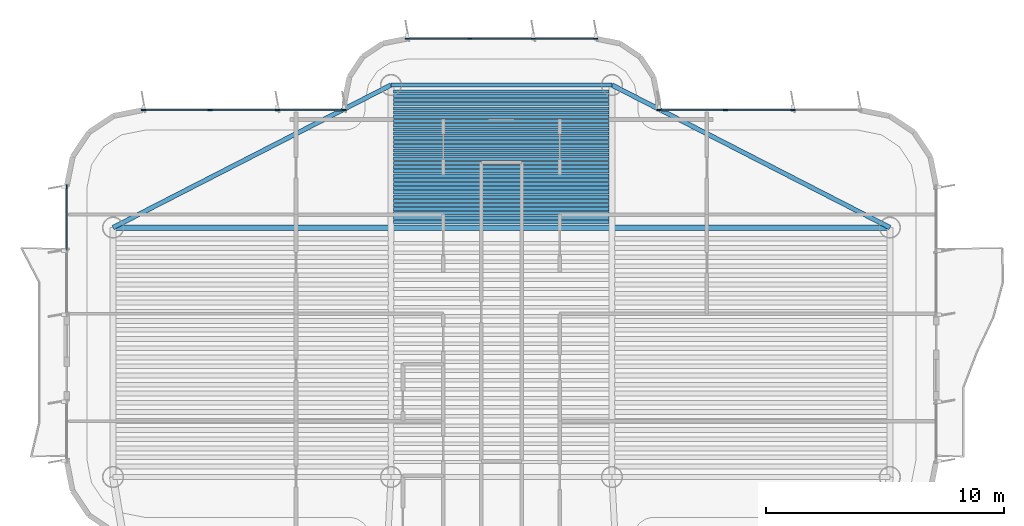
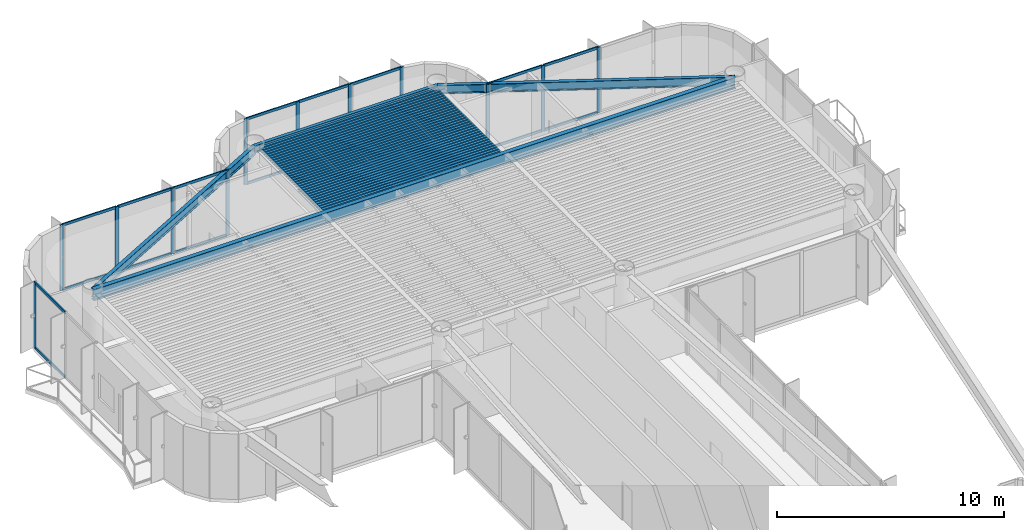
# One storey, part 7 of 15: 36 beams, 30 members, 4 elements without a shape of their own.
"""IFC4 building model written with IfcOpenShell, lengths in metres."""

from ifc_helpers import new_model, si_unit, direction, frame, origin, origin_2d, place, context, subcontext, project, spatial, rectangle, i_section, extrude, source, transform, mapped, material, layer, layer_set, material_profile, profile_set, type_object, element, aggregate, save


model = new_model("IFC4")

# Units and contexts
model_context = context("Model", 3, precision=1e-05, world=origin(), true_north=direction((0.0, 1.0)))
body_context = subcontext(model_context, "Body", "Model", "MODEL_VIEW")
ifc_project = project(units=[si_unit("LENGTHUNIT", "METRE"), si_unit("AREAUNIT", "SQUARE_METRE"), si_unit("VOLUMEUNIT", "CUBIC_METRE"), si_unit("PLANEANGLEUNIT", "RADIAN"), si_unit("MASSUNIT", "GRAM", prefix="KILO")], contexts=[model_context])

# Site, building, storey
site_placement = place(None, origin())
site = spatial("IfcSite", under=ifc_project, at=site_placement, CompositionType="ELEMENT")
building_placement = place(site_placement, origin())
building = spatial("IfcBuilding", under=site, at=building_placement, Name="Brelvock Crest Care Tower", CompositionType="ELEMENT")
storey_placement = place(building_placement, frame((0.0, 0.0, 268.3798828125)))
storey = spatial("IfcBuildingStorey", under=building, at=storey_placement, Name="L68", CompositionType="ELEMENT", Elevation=268.3798828125)

# Beams
ifc_material_1 = material(Name="Steel Grade 350", Category="steel")
ifc_material_profile_1 = material_profile(ifc_material_1, i_section(OverallWidth=0.177978515625, OverallDepth=0.406005859375, WebThickness=0.0078125, FlangeThickness=0.0126953125, FilletRadius=0.011474609375, at=origin_2d()), Name="410UB59.7")
ifc_profile_set_1 = profile_set([ifc_material_profile_1], Name="Steel Grade 350")
beam_type_1 = type_object("IfcBeamType", Name="BM-SP1", PredefinedType="SPANDREL", material=ifc_profile_set_1)
shared_shape_1 = source(origin(), body_context, "Body", "SweptSolid", [
    extrude(i_section(OverallWidth=0.177978515625, OverallDepth=0.406005859375, WebThickness=0.0078125, FlangeThickness=0.0126953125, FilletRadius=0.011474609375, at=origin_2d()), origin(), (0.0, 0.0, 1.0), 9.2998046875),
])
beam_1_placement = place(storey_placement, frame((31.35009765625, 60.449951171875, 3.3271484375), z_axis=(1.0, 0.0, 0.0), x_axis=(0.0, 1.0, 0.0)))
element("IfcBeam", 1, at=beam_1_placement, inside=storey, type_object=beam_type_1, Name="BM-TWR-L68-08", PredefinedType="SPANDREL", context=body_context, shape_type="MappedRepresentation", body=[
    mapped(shared_shape_1, transform((0.0, 0.0, 0.0), x_axis=(1.0, 0.0, 0.0), y_axis=(0.0, 1.0, 0.0), z_axis=(0.0, 0.0, 1.0), scale=1.0)),
])
ifc_material_profile_2 = material_profile(ifc_material_1, i_section(OverallWidth=0.14599609375, OverallDepth=0.256103515625, WebThickness=0.00634765625, FlangeThickness=0.010986328125, FilletRadius=0.0087890625, at=origin_2d()), Name="250UB37.3")
ifc_profile_set_2 = profile_set([ifc_material_profile_2], Name="Steel Grade 350")
beam_type_2 = type_object("IfcBeamType", Name="BM-J3", PredefinedType="JOIST", material=ifc_profile_set_2)
shared_shape_2 = source(origin(), body_context, "Body", "SweptSolid", [
    extrude(i_section(OverallWidth=0.14599609375, OverallDepth=0.256103515625, WebThickness=0.00634765625, FlangeThickness=0.010986328125, FilletRadius=0.0087890625, at=origin_2d()), origin(), (0.0, 0.0, 1.0), 9.06982421875),
])
for number, where, z_axis, x_axis, name in (
    (2, (31.465087890625, 54.68994140625, 3.402099609375), (1.0, 0.0, 0.0), (0.0, 1.0, 0.0), "BM-JN-L68-1"),
    (3, (31.465087890625, 54.866943359375, 3.402099609375), (1.0, 0.0, 0.0), (0.0, 1.0, 0.0), "BM-JN-L68-2"),
    (4, (31.465087890625, 55.0439453125, 3.402099609375), (1.0, 0.0, 0.0), (0.0, 1.0, 0.0), "BM-JN-L68-3"),
    (5, (31.465087890625, 55.220947265625, 3.402099609375), (1.0, 0.0, 0.0), (0.0, 1.0, 0.0), "BM-JN-L68-4"),
    (6, (31.465087890625, 55.39794921875, 3.402099609375), (1.0, 0.0, 0.0), (0.0, 1.0, 0.0), "BM-JN-L68-5"),
    (7, (31.465087890625, 55.574951171875, 3.402099609375), (1.0, 0.0, 0.0), (0.0, 1.0, 0.0), "BM-JN-L68-6"),
    (8, (31.465087890625, 55.751953125, 3.402099609375), (1.0, 0.0, 0.0), (0.0, 1.0, 0.0), "BM-JN-L68-7"),
    (9, (31.465087890625, 55.928955078125, 3.402099609375), (1.0, 0.0, 0.0), (0.0, 1.0, 0.0), "BM-JN-L68-8"),
    (10, (31.465087890625, 56.10595703125, 3.402099609375), (1.0, 0.0, 0.0), (0.0, 1.0, 0.0), "BM-JN-L68-9"),
    (11, (31.465087890625, 56.282958984375, 3.402099609375), (1.0, 0.0, 0.0), (0.0, 1.0, 0.0), "BM-JN-L68-10"),
    (12, (31.465087890625, 56.4599609375, 3.402099609375), (1.0, 0.0, 0.0), (0.0, 1.0, 0.0), "BM-JN-L68-11"),
    (13, (31.465087890625, 56.636962890625, 3.402099609375), (1.0, 0.0, 0.0), (0.0, 1.0, 0.0), "BM-JN-L68-12"),
    (14, (31.465087890625, 56.81396484375, 3.402099609375), (1.0, 0.0, 0.0), (0.0, 1.0, 0.0), "BM-JN-L68-13"),
):
    element("IfcBeam", number, at=place(storey_placement, frame(where, z_axis=z_axis, x_axis=x_axis)), inside=storey, type_object=beam_type_2, Name=name, PredefinedType="JOIST", context=body_context, shape_type="MappedRepresentation", body=[
        mapped(shared_shape_2, transform((0.0, 0.0, 0.0), x_axis=(1.0, 0.0, 0.0), y_axis=(0.0, 1.0, 0.0), z_axis=(0.0, 0.0, 1.0), scale=1.0)),
    ])
ifc_material_profile_3 = material_profile(ifc_material_1, i_section(OverallWidth=0.134033203125, OverallDepth=0.20703125, WebThickness=0.00634765625, FlangeThickness=0.009521484375, FilletRadius=0.0087890625, at=origin_2d()), Name="200UB29.8")
ifc_profile_set_3 = profile_set([ifc_material_profile_3], Name="Steel Grade 350")
beam_type_3 = type_object("IfcBeamType", Name="BM-J4", PredefinedType="JOIST", material=ifc_profile_set_3)
shared_shape_3 = source(origin(), body_context, "Body", "SweptSolid", [
    extrude(i_section(OverallWidth=0.134033203125, OverallDepth=0.20703125, WebThickness=0.00634765625, FlangeThickness=0.009521484375, FilletRadius=0.0087890625, at=origin_2d()), origin(), (0.0, 0.0, 1.0), 9.06982421875),
])
for number, where, z_axis, x_axis, name in (
    (15, (31.465087890625, 56.990966796875, 3.426513671875), (1.0, 0.0, 0.0), (0.0, 1.0, 0.0), "BM-JN-L68-14"),
    (16, (31.465087890625, 57.16796875, 3.426513671875), (1.0, 0.0, 0.0), (0.0, 1.0, 0.0), "BM-JN-L68-15"),
    (17, (31.465087890625, 57.344970703125, 3.426513671875), (1.0, 0.0, 0.0), (0.0, 1.0, 0.0), "BM-JN-L68-16"),
    (18, (31.465087890625, 57.52197265625, 3.426513671875), (1.0, 0.0, 0.0), (0.0, 1.0, 0.0), "BM-JN-L68-17"),
    (19, (31.465087890625, 57.698974609375, 3.426513671875), (1.0, 0.0, 0.0), (0.0, 1.0, 0.0), "BM-JN-L68-18"),
    (20, (31.465087890625, 57.8759765625, 3.426513671875), (1.0, 0.0, 0.0), (0.0, 1.0, 0.0), "BM-JN-L68-19"),
    (21, (31.465087890625, 58.052978515625, 3.426513671875), (1.0, 0.0, 0.0), (0.0, 1.0, 0.0), "BM-JN-L68-20"),
    (22, (31.465087890625, 58.22998046875, 3.426513671875), (1.0, 0.0, 0.0), (0.0, 1.0, 0.0), "BM-JN-L68-21"),
    (23, (31.465087890625, 58.406982421875, 3.426513671875), (1.0, 0.0, 0.0), (0.0, 1.0, 0.0), "BM-JN-L68-22"),
    (24, (31.465087890625, 58.583984375, 3.426513671875), (1.0, 0.0, 0.0), (0.0, 1.0, 0.0), "BM-JN-L68-23"),
    (25, (31.465087890625, 58.760986328125, 3.426513671875), (1.0, 0.0, 0.0), (0.0, 1.0, 0.0), "BM-JN-L68-24"),
    (26, (31.465087890625, 58.93798828125, 3.426513671875), (1.0, 0.0, 0.0), (0.0, 1.0, 0.0), "BM-JN-L68-25"),
    (27, (31.465087890625, 59.114990234375, 3.426513671875), (1.0, 0.0, 0.0), (0.0, 1.0, 0.0), "BM-JN-L68-26"),
    (28, (31.465087890625, 59.2919921875, 3.426513671875), (1.0, 0.0, 0.0), (0.0, 1.0, 0.0), "BM-JN-L68-27"),
    (29, (31.465087890625, 59.468994140625, 3.426513671875), (1.0, 0.0, 0.0), (0.0, 1.0, 0.0), "BM-JN-L68-28"),
    (30, (31.465087890625, 59.64599609375, 3.426513671875), (1.0, 0.0, 0.0), (0.0, 1.0, 0.0), "BM-JN-L68-29"),
    (31, (31.465087890625, 59.822998046875, 3.426513671875), (1.0, 0.0, 0.0), (0.0, 1.0, 0.0), "BM-JN-L68-30"),
    (32, (31.465087890625, 60.0, 3.426513671875), (1.0, 0.0, 0.0), (0.0, 1.0, 0.0), "BM-JN-L68-31"),
    (33, (31.465087890625, 60.177001953125, 3.426513671875), (1.0, 0.0, 0.0), (0.0, 1.0, 0.0), "BM-JN-L68-32"),
):
    element("IfcBeam", number, at=place(storey_placement, frame(where, z_axis=z_axis, x_axis=x_axis)), inside=storey, type_object=beam_type_3, Name=name, PredefinedType="JOIST", context=body_context, shape_type="MappedRepresentation", body=[
        mapped(shared_shape_3, transform((0.0, 0.0, 0.0), x_axis=(1.0, 0.0, 0.0), y_axis=(0.0, 1.0, 0.0), z_axis=(0.0, 0.0, 1.0), scale=1.0)),
    ])
ifc_material_profile_4 = material_profile(ifc_material_1, i_section(OverallWidth=0.19091796875, OverallDepth=0.4599609375, WebThickness=0.010009765625, FlangeThickness=0.01611328125, FilletRadius=0.011474609375, at=origin_2d()), Name="460UB82.1")
ifc_profile_set_4 = profile_set([ifc_material_profile_4], Name="Steel Grade 350")
beam_type_4 = type_object("IfcBeamType", Name="BM-SP2", PredefinedType="SPANDREL", material=ifc_profile_set_4)
shared_shape_4 = source(origin(), body_context, "Body", "SweptSolid", [
    extrude(i_section(OverallWidth=0.19091796875, OverallDepth=0.4599609375, WebThickness=0.010009765625, FlangeThickness=0.01611328125, FilletRadius=0.011474609375, at=origin_2d()), origin(), (0.0, 0.0, 1.0), 13.14892578125),
])
for number, where, z_axis, x_axis, name in (
    (34, (19.64990234375, 54.449951171875, 3.300048828125), (0.889820555736, 0.456310616346, 0.0), (-0.456310616346, 0.889820555736, 0.0), "BM-TWR-L68-06"),
    (35, (40.64990234375, 60.449951171875, 3.300048828125), (0.889820555736, -0.456310616346, 0.0), (0.456310616346, 0.889820555736, 0.0), "BM-TWR-L68-07"),
):
    element("IfcBeam", number, at=place(storey_placement, frame(where, z_axis=z_axis, x_axis=x_axis)), inside=storey, type_object=beam_type_4, Name=name, PredefinedType="SPANDREL", context=body_context, shape_type="MappedRepresentation", body=[
        mapped(shared_shape_4, transform((0.0, 0.0, 0.0), x_axis=(1.0, 0.0, 0.0), y_axis=(0.0, 1.0, 0.0), z_axis=(0.0, 0.0, 1.0), scale=1.0)),
    ])
ifc_material_profile_5 = material_profile(ifc_material_1, i_section(OverallWidth=0.22900390625, OverallDepth=0.612060546875, WebThickness=0.011962890625, FlangeThickness=0.01953125, FilletRadius=0.013916015625, at=origin_2d()), Name="610UB125")
ifc_profile_set_5 = profile_set([ifc_material_profile_5], Name="Steel Grade 350")
beam_type_5 = type_object("IfcBeamType", Name="BM-G1", PredefinedType="BEAM", material=ifc_profile_set_5)
shared_shape_5 = source(origin(), body_context, "Body", "SweptSolid", [
    extrude(i_section(OverallWidth=0.22900390625, OverallDepth=0.612060546875, WebThickness=0.011962890625, FlangeThickness=0.01953125, FilletRadius=0.013916015625, at=origin_2d()), origin(), (0.0, 0.0, 1.0), 32.7001953125),
])
beam_2_placement = place(storey_placement, frame((19.64990234375, 54.449951171875, 3.22412109375), z_axis=(1.0, 0.0, 0.0), x_axis=(0.0, 1.0, 0.0)))
element("IfcBeam", 36, at=beam_2_placement, inside=storey, type_object=beam_type_5, Name="BM-TWR-L68-11", PredefinedType="BEAM", context=body_context, shape_type="MappedRepresentation", body=[
    mapped(shared_shape_5, transform((0.0, 0.0, 0.0), x_axis=(1.0, 0.0, 0.0), y_axis=(0.0, 1.0, 0.0), z_axis=(0.0, 0.0, 1.0), scale=1.0)),
])

# Curtain wall, member
ifc_material_2 = material(Name="Dark Glass Double Glazed Low-E", Category="glass")
ifc_layer = layer(ifc_material_2, 0.239990234375, Name="CWS-5")
ifc_layer_set = layer_set([ifc_layer], Name="Dark Glass Double Glazed Low-E")
curtain_wall_type = type_object("IfcCurtainWallType", Name="CWS-5", PredefinedType="NOTDEFINED", material=ifc_layer_set)
curtain_wall_1_placement = place(storey_placement, origin())
curtain_wall_1 = element("IfcCurtainWall", 37, at=curtain_wall_1_placement, inside=storey, type_object=curtain_wall_type, Name="L68 Curtain Wall E17B", PredefinedType="NOTDEFINED")
ifc_material_3 = material(Name="Aluminium 6063-T6", Category="aluminium")
ifc_material_profile_6 = material_profile(ifc_material_3, rectangle(XDim=0.06005859375, YDim=0.179931640625, at=origin_2d()), Name="ALU60x180")
ifc_profile_set_6 = profile_set([ifc_material_profile_6], Name="Aluminium 6063-T6")
member_type_1 = type_object("IfcMemberType", Name="CWM-2", PredefinedType="MULLION", material=ifc_profile_set_6)
shared_shape_6 = source(origin(), body_context, "Body", "SweptSolid", [
    extrude(rectangle(XDim=0.06005859375, YDim=0.179931640625, at=origin_2d()), origin(), (0.0, 0.0, 1.0), 3.530029296875),
])
member_1_placement = place(storey_placement, frame((17.699951171875, 56.169921875, 0.0), z_axis=(0.0, 0.0, 1.0), x_axis=(-1.0, 0.0, 0.0)))
member_1 = element("IfcMember", 38, at=member_1_placement, type_object=member_type_1, Name="CW-5 mullion 3", PredefinedType="MULLION", context=body_context, shape_type="MappedRepresentation", body=[
    mapped(shared_shape_6, transform((0.0, 0.0, 0.0), x_axis=(1.0, 0.0, 0.0), y_axis=(0.0, 1.0, 0.0), z_axis=(0.0, 0.0, 1.0), scale=1.0)),
])

# Curtain wall, members
curtain_wall_2_placement = place(storey_placement, origin())
curtain_wall_2 = element("IfcCurtainWall", 39, at=curtain_wall_2_placement, inside=storey, type_object=curtain_wall_type, Name="L68 Curtain Wall E22", PredefinedType="NOTDEFINED")
member_2_placement = place(storey_placement, frame((20.929931640625, 59.39990234375, 0.0), z_axis=(0.0, 0.0, 1.0), x_axis=(0.0, 1.0, 0.0)))
member_2 = element("IfcMember", 40, at=member_2_placement, type_object=member_type_1, Name="CW-5 mullion 1", PredefinedType="MULLION", context=body_context, shape_type="MappedRepresentation", body=[
    mapped(shared_shape_6, transform((0.0, 0.0, 0.0), x_axis=(1.0, 0.0, 0.0), y_axis=(0.0, 1.0, 0.0), z_axis=(0.0, 0.0, 1.0), scale=1.0)),
])
member_3_placement = place(storey_placement, frame((23.7333984375, 59.39990234375, 0.0), z_axis=(0.0, 0.0, 1.0), x_axis=(0.0, 1.0, 0.0)))
member_3 = element("IfcMember", 41, at=member_3_placement, type_object=member_type_1, Name="CW-5 mullion 2", PredefinedType="MULLION", context=body_context, shape_type="MappedRepresentation", body=[
    mapped(shared_shape_6, transform((0.0, 0.0, 0.0), x_axis=(1.0, 0.0, 0.0), y_axis=(0.0, 1.0, 0.0), z_axis=(0.0, 0.0, 1.0), scale=1.0)),
])
member_4_placement = place(storey_placement, frame((26.566650390625, 59.39990234375, 0.0), z_axis=(0.0, 0.0, 1.0), x_axis=(0.0, 1.0, 0.0)))
member_4 = element("IfcMember", 42, at=member_4_placement, type_object=member_type_1, Name="CW-5 mullion 3", PredefinedType="MULLION", context=body_context, shape_type="MappedRepresentation", body=[
    mapped(shared_shape_6, transform((0.0, 0.0, 0.0), x_axis=(1.0, 0.0, 0.0), y_axis=(0.0, 1.0, 0.0), z_axis=(0.0, 0.0, 1.0), scale=1.0)),
])
member_5_placement = place(storey_placement, frame((29.3701171875, 59.39990234375, 0.0), z_axis=(0.0, 0.0, 1.0), x_axis=(0.0, 1.0, 0.0)))
member_5 = element("IfcMember", 43, at=member_5_placement, type_object=member_type_1, Name="CW-5 mullion 4", PredefinedType="MULLION", context=body_context, shape_type="MappedRepresentation", body=[
    mapped(shared_shape_6, transform((0.0, 0.0, 0.0), x_axis=(1.0, 0.0, 0.0), y_axis=(0.0, 1.0, 0.0), z_axis=(0.0, 0.0, 1.0), scale=1.0)),
])

curtain_wall_3_placement = place(storey_placement, origin())
curtain_wall_3 = element("IfcCurtainWall", 44, at=curtain_wall_3_placement, inside=storey, type_object=curtain_wall_type, Name="L68 Curtain Wall E28", PredefinedType="NOTDEFINED")
member_6_placement = place(storey_placement, frame((32.030029296875, 62.39990234375, 0.0), z_axis=(0.0, 0.0, 1.0), x_axis=(0.0, 1.0, 0.0)))
member_6 = element("IfcMember", 45, at=member_6_placement, type_object=member_type_1, Name="CW-5 mullion 1", PredefinedType="MULLION", context=body_context, shape_type="MappedRepresentation", body=[
    mapped(shared_shape_6, transform((0.0, 0.0, 0.0), x_axis=(1.0, 0.0, 0.0), y_axis=(0.0, 1.0, 0.0), z_axis=(0.0, 0.0, 1.0), scale=1.0)),
])
member_7_placement = place(storey_placement, frame((34.666748046875, 62.39990234375, 0.0), z_axis=(0.0, 0.0, 1.0), x_axis=(0.0, 1.0, 0.0)))
member_7 = element("IfcMember", 46, at=member_7_placement, type_object=member_type_1, Name="CW-5 mullion 2", PredefinedType="MULLION", context=body_context, shape_type="MappedRepresentation", body=[
    mapped(shared_shape_6, transform((0.0, 0.0, 0.0), x_axis=(1.0, 0.0, 0.0), y_axis=(0.0, 1.0, 0.0), z_axis=(0.0, 0.0, 1.0), scale=1.0)),
])
member_8_placement = place(storey_placement, frame((37.333251953125, 62.39990234375, 0.0), z_axis=(0.0, 0.0, 1.0), x_axis=(0.0, 1.0, 0.0)))
member_8 = element("IfcMember", 47, at=member_8_placement, type_object=member_type_1, Name="CW-5 mullion 3", PredefinedType="MULLION", context=body_context, shape_type="MappedRepresentation", body=[
    mapped(shared_shape_6, transform((0.0, 0.0, 0.0), x_axis=(1.0, 0.0, 0.0), y_axis=(0.0, 1.0, 0.0), z_axis=(0.0, 0.0, 1.0), scale=1.0)),
])
member_9_placement = place(storey_placement, frame((39.969970703125, 62.39990234375, 0.0), z_axis=(0.0, 0.0, 1.0), x_axis=(0.0, 1.0, 0.0)))
member_9 = element("IfcMember", 48, at=member_9_placement, type_object=member_type_1, Name="CW-5 mullion 4", PredefinedType="MULLION", context=body_context, shape_type="MappedRepresentation", body=[
    mapped(shared_shape_6, transform((0.0, 0.0, 0.0), x_axis=(1.0, 0.0, 0.0), y_axis=(0.0, 1.0, 0.0), z_axis=(0.0, 0.0, 1.0), scale=1.0)),
])

curtain_wall_4_placement = place(storey_placement, origin())
curtain_wall_4 = element("IfcCurtainWall", 49, at=curtain_wall_4_placement, inside=storey, type_object=curtain_wall_type, Name="L68 Curtain Wall E34", PredefinedType="NOTDEFINED")
member_10_placement = place(storey_placement, frame((42.6298828125, 59.39990234375, 0.0), z_axis=(0.0, 0.0, 1.0), x_axis=(0.0, 1.0, 0.0)))
member_10 = element("IfcMember", 50, at=member_10_placement, type_object=member_type_1, Name="CW-5 mullion 1", PredefinedType="MULLION", context=body_context, shape_type="MappedRepresentation", body=[
    mapped(shared_shape_6, transform((0.0, 0.0, 0.0), x_axis=(1.0, 0.0, 0.0), y_axis=(0.0, 1.0, 0.0), z_axis=(0.0, 0.0, 1.0), scale=1.0)),
])
member_11_placement = place(storey_placement, frame((45.433349609375, 59.39990234375, 0.0), z_axis=(0.0, 0.0, 1.0), x_axis=(0.0, 1.0, 0.0)))
member_11 = element("IfcMember", 51, at=member_11_placement, type_object=member_type_1, Name="CW-5 mullion 2", PredefinedType="MULLION", context=body_context, shape_type="MappedRepresentation", body=[
    mapped(shared_shape_6, transform((0.0, 0.0, 0.0), x_axis=(1.0, 0.0, 0.0), y_axis=(0.0, 1.0, 0.0), z_axis=(0.0, 0.0, 1.0), scale=1.0)),
])
member_12_placement = place(storey_placement, frame((48.2666015625, 59.39990234375, 0.0), z_axis=(0.0, 0.0, 1.0), x_axis=(0.0, 1.0, 0.0)))
member_12 = element("IfcMember", 52, at=member_12_placement, type_object=member_type_1, Name="CW-5 mullion 3", PredefinedType="MULLION", context=body_context, shape_type="MappedRepresentation", body=[
    mapped(shared_shape_6, transform((0.0, 0.0, 0.0), x_axis=(1.0, 0.0, 0.0), y_axis=(0.0, 1.0, 0.0), z_axis=(0.0, 0.0, 1.0), scale=1.0)),
])

# Member
ifc_material_profile_7 = material_profile(ifc_material_3, rectangle(XDim=0.06005859375, YDim=0.139892578125, at=origin_2d()), Name="ALU60x140")
ifc_profile_set_7 = profile_set([ifc_material_profile_7], Name="Aluminium 6063-T6")
member_type_2 = type_object("IfcMemberType", Name="CWT-2", PredefinedType="USERDEFINED", material=ifc_profile_set_7)
shared_shape_7 = source(origin(), body_context, "Body", "SweptSolid", [
    extrude(rectangle(XDim=0.06005859375, YDim=0.139892578125, at=origin_2d()), origin(), (0.0, 0.0, 1.0), 2.57666015625),
])
member_13_placement = place(storey_placement, frame((32.06005859375, 62.39990234375, 0.030029296875), z_axis=(1.0, 0.0, 0.0), x_axis=(0.0, 1.0, 0.0)))
member_13 = element("IfcMember", 53, at=member_13_placement, type_object=member_type_2, Name="CW-5 transom 1.1", ObjectType="TRANSOM", PredefinedType="USERDEFINED", context=body_context, shape_type="MappedRepresentation", body=[
    mapped(shared_shape_7, transform((0.0, 0.0, 0.0), x_axis=(1.0, 0.0, 0.0), y_axis=(0.0, 1.0, 0.0), z_axis=(0.0, 0.0, 1.0), scale=1.0)),
])

member_14_placement = place(storey_placement, frame((32.06005859375, 62.39990234375, 3.5), z_axis=(1.0, 0.0, 0.0), x_axis=(0.0, 1.0, 0.0)))
member_14 = element("IfcMember", 54, at=member_14_placement, type_object=member_type_2, Name="CW-5 transom 1.2", ObjectType="TRANSOM", PredefinedType="USERDEFINED", context=body_context, shape_type="MappedRepresentation", body=[
    mapped(shared_shape_7, transform((0.0, 0.0, 0.0), x_axis=(1.0, 0.0, 0.0), y_axis=(0.0, 1.0, 0.0), z_axis=(0.0, 0.0, 1.0), scale=1.0)),
])

member_15_placement = place(storey_placement, frame((37.36328125, 62.39990234375, 0.030029296875), z_axis=(1.0, 0.0, 0.0), x_axis=(0.0, 1.0, 0.0)))
member_15 = element("IfcMember", 55, at=member_15_placement, type_object=member_type_2, Name="CW-5 transom 3.1", ObjectType="TRANSOM", PredefinedType="USERDEFINED", context=body_context, shape_type="MappedRepresentation", body=[
    mapped(shared_shape_7, transform((0.0, 0.0, 0.0), x_axis=(1.0, 0.0, 0.0), y_axis=(0.0, 1.0, 0.0), z_axis=(0.0, 0.0, 1.0), scale=1.0)),
])

member_16_placement = place(storey_placement, frame((37.36328125, 62.39990234375, 3.5), z_axis=(1.0, 0.0, 0.0), x_axis=(0.0, 1.0, 0.0)))
member_16 = element("IfcMember", 56, at=member_16_placement, type_object=member_type_2, Name="CW-5 transom 3.2", ObjectType="TRANSOM", PredefinedType="USERDEFINED", context=body_context, shape_type="MappedRepresentation", body=[
    mapped(shared_shape_7, transform((0.0, 0.0, 0.0), x_axis=(1.0, 0.0, 0.0), y_axis=(0.0, 1.0, 0.0), z_axis=(0.0, 0.0, 1.0), scale=1.0)),
])

shared_shape_8 = source(origin(), body_context, "Body", "SweptSolid", [
    extrude(rectangle(XDim=0.06005859375, YDim=0.139892578125, at=origin_2d()), origin(), (0.0, 0.0, 1.0), 2.743408203125),
])
member_17_placement = place(storey_placement, frame((20.9599609375, 59.39990234375, 0.030029296875), z_axis=(1.0, 0.0, 0.0), x_axis=(0.0, 1.0, 0.0)))
member_17 = element("IfcMember", 57, at=member_17_placement, type_object=member_type_2, Name="CW-5 transom 1.1", ObjectType="TRANSOM", PredefinedType="USERDEFINED", context=body_context, shape_type="MappedRepresentation", body=[
    mapped(shared_shape_8, transform((0.0, 0.0, 0.0), x_axis=(1.0, 0.0, 0.0), y_axis=(0.0, 1.0, 0.0), z_axis=(0.0, 0.0, 1.0), scale=1.0)),
])

member_18_placement = place(storey_placement, frame((20.9599609375, 59.39990234375, 3.5), z_axis=(1.0, 0.0, 0.0), x_axis=(0.0, 1.0, 0.0)))
member_18 = element("IfcMember", 58, at=member_18_placement, type_object=member_type_2, Name="CW-5 transom 1.2", ObjectType="TRANSOM", PredefinedType="USERDEFINED", context=body_context, shape_type="MappedRepresentation", body=[
    mapped(shared_shape_8, transform((0.0, 0.0, 0.0), x_axis=(1.0, 0.0, 0.0), y_axis=(0.0, 1.0, 0.0), z_axis=(0.0, 0.0, 1.0), scale=1.0)),
])

member_19_placement = place(storey_placement, frame((26.5966796875, 59.39990234375, 0.030029296875), z_axis=(1.0, 0.0, 0.0), x_axis=(0.0, 1.0, 0.0)))
member_19 = element("IfcMember", 59, at=member_19_placement, type_object=member_type_2, Name="CW-5 transom 3.1", ObjectType="TRANSOM", PredefinedType="USERDEFINED", context=body_context, shape_type="MappedRepresentation", body=[
    mapped(shared_shape_8, transform((0.0, 0.0, 0.0), x_axis=(1.0, 0.0, 0.0), y_axis=(0.0, 1.0, 0.0), z_axis=(0.0, 0.0, 1.0), scale=1.0)),
])

member_20_placement = place(storey_placement, frame((26.5966796875, 59.39990234375, 3.5), z_axis=(1.0, 0.0, 0.0), x_axis=(0.0, 1.0, 0.0)))
member_20 = element("IfcMember", 60, at=member_20_placement, type_object=member_type_2, Name="CW-5 transom 3.2", ObjectType="TRANSOM", PredefinedType="USERDEFINED", context=body_context, shape_type="MappedRepresentation", body=[
    mapped(shared_shape_8, transform((0.0, 0.0, 0.0), x_axis=(1.0, 0.0, 0.0), y_axis=(0.0, 1.0, 0.0), z_axis=(0.0, 0.0, 1.0), scale=1.0)),
])

member_21_placement = place(storey_placement, frame((42.659912109375, 59.39990234375, 0.030029296875), z_axis=(1.0, 0.0, 0.0), x_axis=(0.0, 1.0, 0.0)))
member_21 = element("IfcMember", 61, at=member_21_placement, type_object=member_type_2, Name="CW-5 transom 1.1", ObjectType="TRANSOM", PredefinedType="USERDEFINED", context=body_context, shape_type="MappedRepresentation", body=[
    mapped(shared_shape_8, transform((0.0, 0.0, 0.0), x_axis=(1.0, 0.0, 0.0), y_axis=(0.0, 1.0, 0.0), z_axis=(0.0, 0.0, 1.0), scale=1.0)),
])

member_22_placement = place(storey_placement, frame((42.659912109375, 59.39990234375, 3.5), z_axis=(1.0, 0.0, 0.0), x_axis=(0.0, 1.0, 0.0)))
member_22 = element("IfcMember", 62, at=member_22_placement, type_object=member_type_2, Name="CW-5 transom 1.2", ObjectType="TRANSOM", PredefinedType="USERDEFINED", context=body_context, shape_type="MappedRepresentation", body=[
    mapped(shared_shape_8, transform((0.0, 0.0, 0.0), x_axis=(1.0, 0.0, 0.0), y_axis=(0.0, 1.0, 0.0), z_axis=(0.0, 0.0, 1.0), scale=1.0)),
])

shared_shape_9 = source(origin(), body_context, "Body", "SweptSolid", [
    extrude(rectangle(XDim=0.06005859375, YDim=0.139892578125, at=origin_2d()), origin(), (0.0, 0.0, 1.0), 2.773193359375),
])
member_23_placement = place(storey_placement, frame((23.763427734375, 59.39990234375, 0.030029296875), z_axis=(1.0, 0.0, 0.0), x_axis=(0.0, 1.0, 0.0)))
member_23 = element("IfcMember", 63, at=member_23_placement, type_object=member_type_2, Name="CW-5 transom 2.1", ObjectType="TRANSOM", PredefinedType="USERDEFINED", context=body_context, shape_type="MappedRepresentation", body=[
    mapped(shared_shape_9, transform((0.0, 0.0, 0.0), x_axis=(1.0, 0.0, 0.0), y_axis=(0.0, 1.0, 0.0), z_axis=(0.0, 0.0, 1.0), scale=1.0)),
])

member_24_placement = place(storey_placement, frame((23.763427734375, 59.39990234375, 3.5), z_axis=(1.0, 0.0, 0.0), x_axis=(0.0, 1.0, 0.0)))
member_24 = element("IfcMember", 64, at=member_24_placement, type_object=member_type_2, Name="CW-5 transom 2.2", ObjectType="TRANSOM", PredefinedType="USERDEFINED", context=body_context, shape_type="MappedRepresentation", body=[
    mapped(shared_shape_9, transform((0.0, 0.0, 0.0), x_axis=(1.0, 0.0, 0.0), y_axis=(0.0, 1.0, 0.0), z_axis=(0.0, 0.0, 1.0), scale=1.0)),
])

aggregate(curtain_wall_2, [member_2, member_3, member_4, member_5, member_17, member_18, member_23, member_24, member_19, member_20])

member_25_placement = place(storey_placement, frame((45.46337890625, 59.39990234375, 0.030029296875), z_axis=(1.0, 0.0, 0.0), x_axis=(0.0, 1.0, 0.0)))
member_25 = element("IfcMember", 65, at=member_25_placement, type_object=member_type_2, Name="CW-5 transom 2.1", ObjectType="TRANSOM", PredefinedType="USERDEFINED", context=body_context, shape_type="MappedRepresentation", body=[
    mapped(shared_shape_9, transform((0.0, 0.0, 0.0), x_axis=(1.0, 0.0, 0.0), y_axis=(0.0, 1.0, 0.0), z_axis=(0.0, 0.0, 1.0), scale=1.0)),
])

member_26_placement = place(storey_placement, frame((45.46337890625, 59.39990234375, 3.5), z_axis=(1.0, 0.0, 0.0), x_axis=(0.0, 1.0, 0.0)))
member_26 = element("IfcMember", 66, at=member_26_placement, type_object=member_type_2, Name="CW-5 transom 2.2", ObjectType="TRANSOM", PredefinedType="USERDEFINED", context=body_context, shape_type="MappedRepresentation", body=[
    mapped(shared_shape_9, transform((0.0, 0.0, 0.0), x_axis=(1.0, 0.0, 0.0), y_axis=(0.0, 1.0, 0.0), z_axis=(0.0, 0.0, 1.0), scale=1.0)),
])

aggregate(curtain_wall_4, [member_10, member_11, member_12, member_21, member_22, member_25, member_26])

shared_shape_10 = source(origin(), body_context, "Body", "SweptSolid", [
    extrude(rectangle(XDim=0.06005859375, YDim=0.139892578125, at=origin_2d()), origin(), (0.0, 0.0, 1.0), 2.6064453125),
])
member_27_placement = place(storey_placement, frame((34.69677734375, 62.39990234375, 0.030029296875), z_axis=(1.0, 0.0, 0.0), x_axis=(0.0, 1.0, 0.0)))
member_27 = element("IfcMember", 67, at=member_27_placement, type_object=member_type_2, Name="CW-5 transom 2.1", ObjectType="TRANSOM", PredefinedType="USERDEFINED", context=body_context, shape_type="MappedRepresentation", body=[
    mapped(shared_shape_10, transform((0.0, 0.0, 0.0), x_axis=(1.0, 0.0, 0.0), y_axis=(0.0, 1.0, 0.0), z_axis=(0.0, 0.0, 1.0), scale=1.0)),
])

member_28_placement = place(storey_placement, frame((34.69677734375, 62.39990234375, 3.5), z_axis=(1.0, 0.0, 0.0), x_axis=(0.0, 1.0, 0.0)))
member_28 = element("IfcMember", 68, at=member_28_placement, type_object=member_type_2, Name="CW-5 transom 2.2", ObjectType="TRANSOM", PredefinedType="USERDEFINED", context=body_context, shape_type="MappedRepresentation", body=[
    mapped(shared_shape_10, transform((0.0, 0.0, 0.0), x_axis=(1.0, 0.0, 0.0), y_axis=(0.0, 1.0, 0.0), z_axis=(0.0, 0.0, 1.0), scale=1.0)),
])

aggregate(curtain_wall_3, [member_6, member_7, member_8, member_9, member_13, member_14, member_27, member_28, member_15, member_16])

shared_shape_11 = source(origin(), body_context, "Body", "SweptSolid", [
    extrude(rectangle(XDim=0.06005859375, YDim=0.139892578125, at=origin_2d()), origin(), (0.0, 0.0, 1.0), 2.635009765625),
])
member_29_placement = place(storey_placement, frame((17.699951171875, 53.5048828125, 0.030029296875), z_axis=(0.0, 1.0, 0.0), x_axis=(-1.0, 0.0, 0.0)))
member_29 = element("IfcMember", 69, at=member_29_placement, type_object=member_type_2, Name="CW-5 transom 2.1", ObjectType="TRANSOM", PredefinedType="USERDEFINED", context=body_context, shape_type="MappedRepresentation", body=[
    mapped(shared_shape_11, transform((0.0, 0.0, 0.0), x_axis=(1.0, 0.0, 0.0), y_axis=(0.0, 1.0, 0.0), z_axis=(0.0, 0.0, 1.0), scale=1.0)),
])

member_30_placement = place(storey_placement, frame((17.699951171875, 53.5048828125, 3.5), z_axis=(0.0, 1.0, 0.0), x_axis=(-1.0, 0.0, 0.0)))
member_30 = element("IfcMember", 70, at=member_30_placement, type_object=member_type_2, Name="CW-5 transom 2.2", ObjectType="TRANSOM", PredefinedType="USERDEFINED", context=body_context, shape_type="MappedRepresentation", body=[
    mapped(shared_shape_11, transform((0.0, 0.0, 0.0), x_axis=(1.0, 0.0, 0.0), y_axis=(0.0, 1.0, 0.0), z_axis=(0.0, 0.0, 1.0), scale=1.0)),
])

aggregate(curtain_wall_1, [member_1, member_29, member_30])

save(model, "model.ifc")
